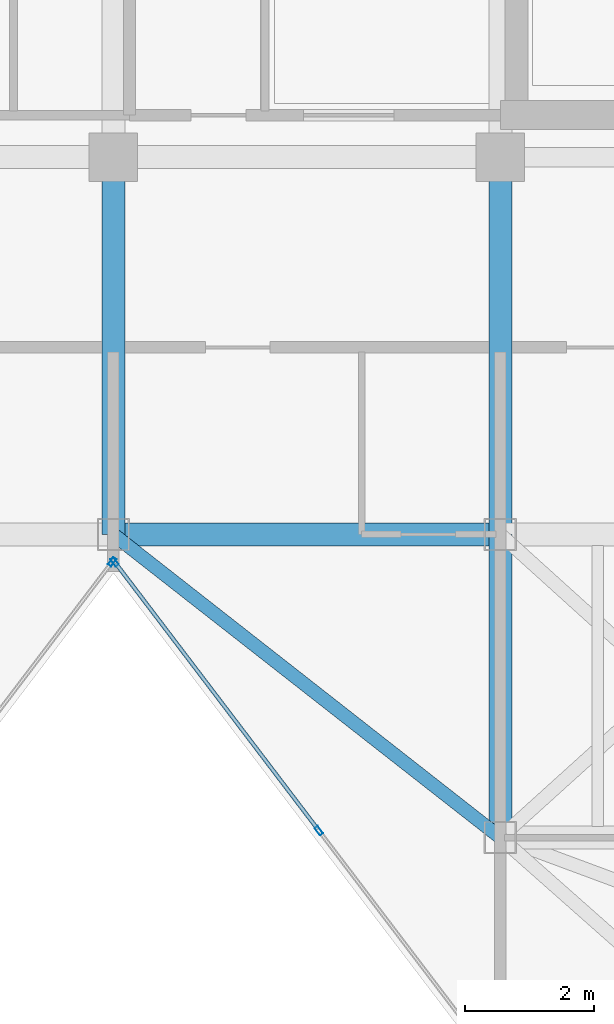
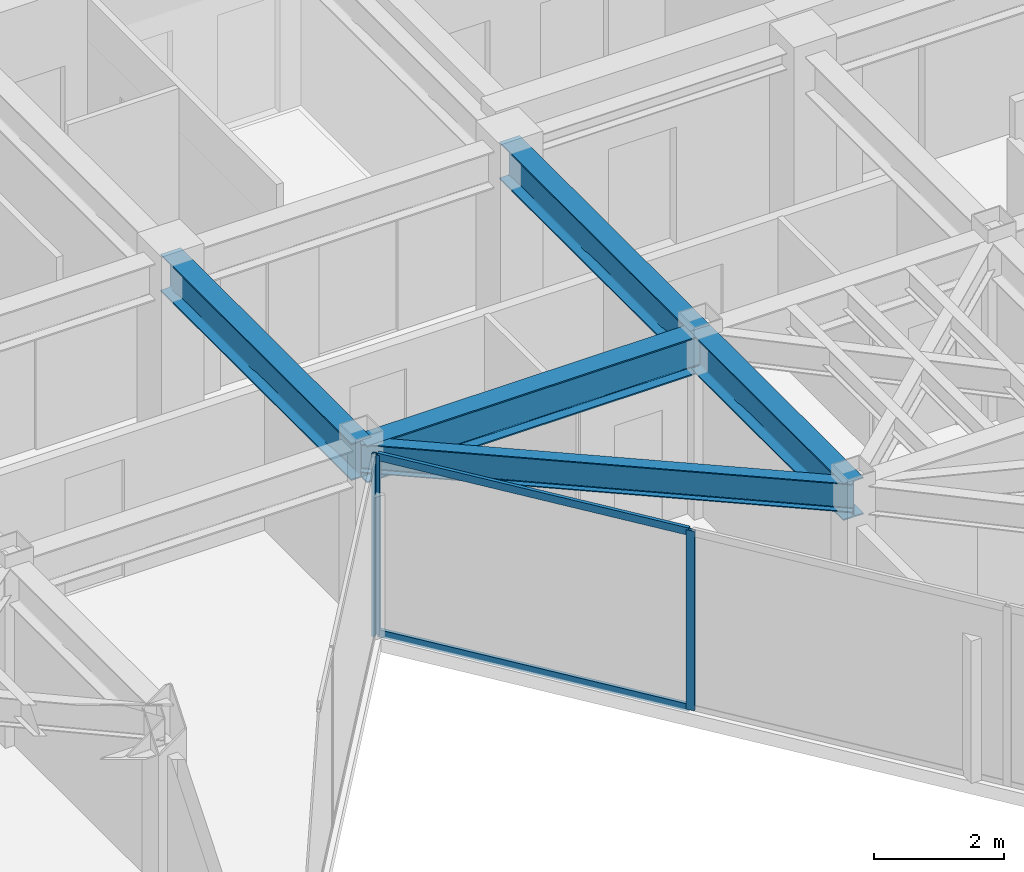
# One storey, part 9 of 19: 5 beams, 5 members, 2 elements without a shape of their own.
"""IFC4 building model written with IfcOpenShell, lengths in metres."""

import ifcopenshell
import ifcopenshell.guid

model = None  # the IFC model being written
_history = None  # IfcOwnerHistory: only IFC2X3 demands one
_inside = {}  # id of a spatial element -> (the spatial element, [elements in it])
_under = {}  # id of a project, library or spatial element -> (it, [spatial elements below it])
_declared = {}  # id of a project -> (the project, [libraries it declares])
_typed = {}  # id of a type object -> (the type object, [elements of that type])
_made_of = {}  # id of a material, layer set ... -> (it, [elements and type objects made of it])


def new_model(schema):
    """Start an empty IFC model of exactly this schema.

    Asked for "IFC4X3", IfcOpenShell would pick the latest addendum, in which some entities
    have other attributes; the version numbers below select the first issue.
    IFC2X3 requires an IfcOwnerHistory on every rooted entity: one is made here for all.
    """
    global model, _history
    if schema == "IFC4X3":
        model = ifcopenshell.file(schema_version=(4, 3, 0, 0))
    else:
        model = ifcopenshell.file(schema=schema)
    _inside.clear()
    _under.clear()
    _declared.clear()
    _typed.clear()
    _made_of.clear()
    _history = None
    if model.schema == "IFC2X3":
        org = make("IfcOrganization", Name="unknown")
        user = make(
            "IfcPersonAndOrganization",
            ThePerson=make("IfcPerson", FamilyName="unknown"),
            TheOrganization=org,
        )
        app = make(
            "IfcApplication",
            ApplicationDeveloper=org,
            Version="unknown",
            ApplicationFullName="unknown",
            ApplicationIdentifier="unknown",
        )
        _history = make(
            "IfcOwnerHistory",
            OwningUser=user,
            OwningApplication=app,
            ChangeAction="ADDED",
            CreationDate=0,
        )
    return model


def make(cls, **values):
    """One entity of the class cls with the attributes given. An attribute that is None is left unset."""
    return model.create_entity(
        cls, **{name: value for name, value in values.items() if value is not None}
    )


def rooted(cls, **values):
    """An entity with a GlobalId (a new one), such as an element, a storey or a relation."""
    return make(cls, GlobalId=ifcopenshell.guid.new(), OwnerHistory=_history, **values)


def si_unit(unit_type, name, prefix=None):
    """IfcSIUnit, for example si_unit("LENGTHUNIT", "METRE", prefix="MILLI")."""
    return make("IfcSIUnit", UnitType=unit_type, Prefix=prefix, Name=name)


def assignment(units):
    """IfcUnitAssignment: the units of a project."""
    return None if units is None else make("IfcUnitAssignment", Units=units)


def point(xyz):
    """IfcCartesianPoint."""
    return None if xyz is None else make("IfcCartesianPoint", Coordinates=xyz)


def direction(xyz):
    """IfcDirection."""
    return None if xyz is None else make("IfcDirection", DirectionRatios=xyz)


def frame(location, z_axis=None, x_axis=None):
    """IfcAxis2Placement3D, a coordinate frame: its origin and axes. An axis left out is left unset."""
    return make(
        "IfcAxis2Placement3D",
        Location=point(location),
        Axis=direction(z_axis),
        RefDirection=direction(x_axis),
    )


def frame_2d(location, x_axis=None):
    """IfcAxis2Placement2D, a coordinate frame in the plane: its origin and x axis."""
    return make(
        "IfcAxis2Placement2D", Location=point(location), RefDirection=direction(x_axis)
    )


def origin():
    """The frame at (0, 0, 0) with its axes left unset."""
    return frame((0.0, 0.0, 0.0))


def origin_2d():
    """The frame at (0, 0) in the plane with its x axis left unset."""
    return frame_2d((0.0, 0.0))


def place(relative_to, where):
    """IfcLocalPlacement: puts the frame where relative to a parent placement (None: the world)."""
    return make(
        "IfcLocalPlacement", PlacementRelTo=relative_to, RelativePlacement=where
    )


def context(
    kind, dimensions, precision=None, world=None, true_north=None, identifier=None
):
    """IfcGeometricRepresentationContext, for example the 3D "Model" context."""
    return make(
        "IfcGeometricRepresentationContext",
        ContextIdentifier=identifier,
        ContextType=kind,
        CoordinateSpaceDimension=dimensions,
        Precision=precision,
        WorldCoordinateSystem=world,
        TrueNorth=true_north,
    )


def subcontext(parent, identifier, kind, view, scale=None):
    """IfcGeometricRepresentationSubContext, for example "Body" below "Model"."""
    return make(
        "IfcGeometricRepresentationSubContext",
        ContextIdentifier=identifier,
        ContextType=kind,
        ParentContext=parent,
        TargetScale=scale,
        TargetView=view,
    )


def project(units=None, contexts=None):
    """IfcProject with its units and contexts."""
    return rooted(
        "IfcProject",
        Name="project",
        RepresentationContexts=contexts,
        UnitsInContext=assignment(units),
    )


def spatial(cls, under=None, at=None, **own):
    """A site, building, storey or space (cls), placed at a placement, below another one or the project."""
    s = rooted(cls, ObjectPlacement=at, **own)
    if under is not None:
        _under.setdefault(under.id(), (under, []))[1].append(s)
    return s


def profile(cls, at=None, kind="AREA", **sizes):
    """A parametric profile (cls). Its sizes go by their IFC names, for example OverallWidth=200.0."""
    return make(cls, ProfileType=kind, Position=at, **sizes)


def hollow_rectangle(**sizes):
    """IfcRectangleHollowProfileDef."""
    return profile("IfcRectangleHollowProfileDef", **sizes)


def i_section(**sizes):
    """IfcIShapeProfileDef."""
    return profile("IfcIShapeProfileDef", **sizes)


def extrude(swept, where, along, depth):
    """IfcExtrudedAreaSolid: the profile swept, set in the frame where, extruded along a direction by depth."""
    return make(
        "IfcExtrudedAreaSolid",
        SweptArea=swept,
        Position=where,
        ExtrudedDirection=direction(along),
        Depth=depth,
    )


def shape(context_of_items, identifier, shape_type, items):
    """IfcShapeRepresentation: the items that make up one representation, for example the "Body"."""
    return make(
        "IfcShapeRepresentation",
        ContextOfItems=context_of_items,
        RepresentationIdentifier=identifier,
        RepresentationType=shape_type,
        Items=items,
    )


def material(Name=None, Category=None):
    """IfcMaterial."""
    return make("IfcMaterial", Name=Name, Category=Category)


def layer(
    of_material, thickness, ventilated=None, Name=None, Category=None, Priority=None
):
    """IfcMaterialLayer: one layer of a wall or slab, of a material (None: an air gap)."""
    return make(
        "IfcMaterialLayer",
        Material=of_material,
        LayerThickness=thickness,
        IsVentilated=ventilated,
        Name=Name,
        Category=Category,
        Priority=Priority,
    )


def layer_set(layers, Name=None):
    """IfcMaterialLayerSet."""
    return make("IfcMaterialLayerSet", MaterialLayers=layers, LayerSetName=Name)


def material_profile(
    of_material, cross_section, Name=None, Category=None, Priority=None
):
    """IfcMaterialProfile: a cross section and its material."""
    return make(
        "IfcMaterialProfile",
        Name=Name,
        Material=of_material,
        Profile=cross_section,
        Priority=Priority,
        Category=Category,
    )


def profile_set(profiles, Name=None, composite=None):
    """IfcMaterialProfileSet."""
    return make(
        "IfcMaterialProfileSet",
        Name=Name,
        MaterialProfiles=profiles,
        CompositeProfile=composite,
    )


def made_of(thing, what):
    """Note that an element or type object is made of a material, layer set ...; save() writes the relation."""
    if what is not None:
        _made_of.setdefault(what.id(), (what, []))[1].append(thing)
    return thing


def type_object(cls, material=None, **own):
    """A type object (cls), such as IfcWallType, which elements share."""
    return made_of(rooted(cls, **own), material)


def element(
    cls,
    number,
    at=None,
    inside=None,
    cuts=None,
    type_object=None,
    material=None,
    context=None,
    identifier="Body",
    shape_type=None,
    held_by="IfcProductDefinitionShape",
    body=None,
    shapes=None,
    **own,
):
    """One element of the class cls, such as IfcWall. Its Tag is "e" and its number.

    at: its placement. inside: the storey or other place that contains it. cuts: it is an
    opening in that element (IfcRelVoidsElement). A single representation is given by context,
    identifier, shape_type and body (its items); several are given by shapes. held_by: the class
    of the entity that holds the representations. save() writes the other relations.
    """
    e = rooted(cls, Tag="e%d" % number, ObjectPlacement=at, **own)
    if body is not None:
        shapes = [shape(context, identifier, shape_type, body)]
    if shapes is not None:
        e.Representation = make(held_by, Representations=shapes)
    if inside is not None:
        _inside.setdefault(inside.id(), (inside, []))[1].append(e)
    if cuts is not None:
        rooted(
            "IfcRelVoidsElement", RelatingBuildingElement=cuts, RelatedOpeningElement=e
        )
    if type_object is not None:
        _typed.setdefault(type_object.id(), (type_object, []))[1].append(e)
    return made_of(e, material)


def aggregate(whole, parts):
    """IfcRelAggregates: a whole, such as a stair, and the parts it consists of."""
    return rooted("IfcRelAggregates", RelatingObject=whole, RelatedObjects=parts)


def save(model, path):
    """Write the relations noted so far, then the file.

    IfcRelAggregates (storeys below a building ...), IfcRelContainedInSpatialStructure (elements
    in a storey), IfcRelDefinesByType, IfcRelAssociatesMaterial and IfcRelDeclares: one each for
    every whole, place, type object, material and project.
    """
    for whole, parts in _under.values():
        aggregate(whole, parts)
    for where, things in _inside.values():
        rooted(
            "IfcRelContainedInSpatialStructure",
            RelatedElements=things,
            RelatingStructure=where,
        )
    for kind, things in _typed.values():
        rooted("IfcRelDefinesByType", RelatedObjects=things, RelatingType=kind)
    for what, things in _made_of.values():
        rooted("IfcRelAssociatesMaterial", RelatedObjects=things, RelatingMaterial=what)
    for by, libraries in _declared.values():
        rooted("IfcRelDeclares", RelatingContext=by, RelatedDefinitions=libraries)
    model.write(path)


model = new_model("IFC4")

# Units and contexts
model_context = context("Model", 3, precision=1e-05, world=origin(), true_north=direction((0.0, 1.0)))
body_context = subcontext(model_context, "Body", "Model", "MODEL_VIEW")
ifc_project = project(units=[si_unit("LENGTHUNIT", "METRE"), si_unit("AREAUNIT", "SQUARE_METRE"), si_unit("VOLUMEUNIT", "CUBIC_METRE"), si_unit("PLANEANGLEUNIT", "RADIAN"), si_unit("MASSUNIT", "GRAM", prefix="KILO")], contexts=[model_context])

# Site, building, storey
site_placement = place(None, origin())
site = spatial("IfcSite", under=ifc_project, at=site_placement, CompositionType="ELEMENT")
building_placement = place(site_placement, origin())
building = spatial("IfcBuilding", under=site, at=building_placement, Name="Kravanh Interchange Tower", CompositionType="ELEMENT")
storey_placement = place(building_placement, frame((0.0, 0.0, 270.60009765625)))
storey = spatial("IfcBuildingStorey", under=building, at=storey_placement, Name="L66", CompositionType="ELEMENT", Elevation=270.60009765625)

# Curtain wall, members
ifc_material_1 = material(Name="Anodised Bronze Aluminium", Category="aluminium")
ifc_layer = layer(ifc_material_1, 0.179931640625)
ifc_layer_set = layer_set([ifc_layer], Name="Unitised Curtain Wall System CW-HTL Luxury Hotel")
curtain_wall_type = type_object("IfcCurtainWallType", Name="Unitised Curtain Wall System CW-HTL Luxury Hotel", PredefinedType="NOTDEFINED", material=ifc_layer_set)
curtain_wall_1_placement = place(storey_placement, origin())
curtain_wall_1 = element("IfcCurtainWall", 1, at=curtain_wall_1_placement, inside=storey, type_object=curtain_wall_type, Name="L66 Unitised Curtain Wall CW-L66-04", PredefinedType="NOTDEFINED")
ifc_material_2 = material(Name="Anodised Bronze Aluminium", Category="aluminium")
ifc_material_profile_1 = material_profile(ifc_material_2, hollow_rectangle(XDim=0.06005859375, YDim=0.139892578125, WallThickness=0.00390625, at=origin_2d()), Name="ALU60X140X4")
ifc_profile_set_1 = profile_set([ifc_material_profile_1], Name="Anodised Bronze Aluminium")
member_type_1 = type_object("IfcMemberType", Name="Curtain Wall Mullion ALU60X140X4 Bronze", PredefinedType="MULLION", material=ifc_profile_set_1)
member_1_placement = place(storey_placement, frame((47.986572265625, 26.905517578125, 0.0), z_axis=(0.0, 0.0, 1.0), x_axis=(-0.79616243806, -0.605082946564, 0.0)))
member_1 = element("IfcMember", 2, at=member_1_placement, type_object=member_type_1, Name="CW-HTL mullion 3", PredefinedType="MULLION", context=body_context, shape_type="SweptSolid", body=[
    extrude(hollow_rectangle(XDim=0.06005859375, YDim=0.139892578125, WallThickness=0.00390625, at=origin_2d()), origin(), (0.0, 0.0, 1.0), 3.35986328125),
])
member_2_placement = place(storey_placement, frame((44.818115234375, 31.074462890625, 0.0), z_axis=(0.0, 0.0, 1.0), x_axis=(-0.79616243806, -0.605082946564, 0.0)))
member_2 = element("IfcMember", 3, at=member_2_placement, type_object=member_type_1, Name="CW-HTL mullion 4", PredefinedType="MULLION", context=body_context, shape_type="SweptSolid", body=[
    extrude(hollow_rectangle(XDim=0.06005859375, YDim=0.139892578125, WallThickness=0.00390625, at=origin_2d()), origin(), (0.0, 0.0, 1.0), 3.35986328125),
])

# Curtain wall, member
curtain_wall_2_placement = place(storey_placement, origin())
curtain_wall_2 = element("IfcCurtainWall", 4, at=curtain_wall_2_placement, inside=storey, type_object=curtain_wall_type, Name="L66 Unitised Curtain Wall CW-L66-05", PredefinedType="NOTDEFINED")
member_3_placement = place(storey_placement, frame((44.78173828125, 31.074462890625, 0.0), z_axis=(0.0, 0.0, 1.0), x_axis=(0.79616243806, -0.605082946564, 0.0)))
member_3 = element("IfcMember", 5, at=member_3_placement, type_object=member_type_1, Name="CW-HTL mullion 1", PredefinedType="MULLION", context=body_context, shape_type="SweptSolid", body=[
    extrude(hollow_rectangle(XDim=0.06005859375, YDim=0.139892578125, WallThickness=0.00390625, at=origin_2d()), origin(), (0.0, 0.0, 1.0), 3.35986328125),
])
aggregate(curtain_wall_2, [member_3])

# Member
ifc_material_3 = material(Name="Anodised Bronze Aluminium", Category="aluminium")
ifc_material_profile_2 = material_profile(ifc_material_3, hollow_rectangle(XDim=0.06005859375, YDim=0.139892578125, WallThickness=0.00390625, at=origin_2d()), Name="ALU60X140X4")
ifc_profile_set_2 = profile_set([ifc_material_profile_2], Name="Anodised Bronze Aluminium")
member_type_2 = type_object("IfcMemberType", Name="Curtain Wall Transom ALU60X140X4 Bronze", PredefinedType="USERDEFINED", material=ifc_profile_set_2)
member_4_placement = place(storey_placement, frame((47.96826171875, 26.929443359375, 0.02978515625), z_axis=(-0.605059348861, 0.796180371747, 0.0), x_axis=(-0.796180371747, -0.605059348861, 0.0)))
member_4 = element("IfcMember", 6, at=member_4_placement, type_object=member_type_2, Name="CW-HTL transom 3.1", ObjectType="TRANSOM", PredefinedType="USERDEFINED", context=body_context, shape_type="SweptSolid", body=[
    extrude(hollow_rectangle(XDim=0.06005859375, YDim=0.139892578125, WallThickness=0.00390625, at=origin_2d()), origin(), (0.0, 0.0, 1.0), 5.176025390625),
])

member_5_placement = place(storey_placement, frame((47.96826171875, 26.929443359375, 3.329833984375), z_axis=(-0.605059348861, 0.796180371747, 0.0), x_axis=(-0.796180371747, -0.605059348861, 0.0)))
member_5 = element("IfcMember", 7, at=member_5_placement, type_object=member_type_2, Name="CW-HTL transom 3.2", ObjectType="TRANSOM", PredefinedType="USERDEFINED", context=body_context, shape_type="SweptSolid", body=[
    extrude(hollow_rectangle(XDim=0.06005859375, YDim=0.139892578125, WallThickness=0.00390625, at=origin_2d()), origin(), (0.0, 0.0, 1.0), 5.176025390625),
])

aggregate(curtain_wall_1, [member_1, member_2, member_4, member_5])

# Beams
ifc_material_4 = material(Name="Structural Steel S355", Category="steel")
ifc_material_profile_3 = material_profile(ifc_material_4, i_section(OverallWidth=0.35498046875, OverallDepth=0.696044921875, WebThickness=0.015380859375, FlangeThickness=0.02490234375, FilletRadius=0.02392578125, at=origin_2d()), Name="W27X146")
ifc_profile_set_3 = profile_set([ifc_material_profile_3], Name="Structural Steel S355")
beam_type_1 = type_object("IfcBeamType", Name="Floor Beam W27X146 Structural Steel S355", PredefinedType="BEAM", material=ifc_profile_set_3)
beam_1_placement = place(storey_placement, frame((44.800048828125, 31.5, 3.011962890625), z_axis=(0.0, 1.0, 0.0), x_axis=(-1.0, 0.0, 0.0)))
element("IfcBeam", 8, at=beam_1_placement, inside=storey, type_object=beam_type_1, Name="L66 Primary Floor Girder 1", PredefinedType="BEAM", context=body_context, shape_type="SweptSolid", body=[
    extrude(i_section(OverallWidth=0.35498046875, OverallDepth=0.696044921875, WebThickness=0.015380859375, FlangeThickness=0.02490234375, FilletRadius=0.02392578125, at=origin_2d()), origin(), (0.0, 0.0, 1.0), 5.85009765625),
])
beam_2_placement = place(storey_placement, frame((44.800048828125, 31.5, 3.011962890625), z_axis=(1.0, 0.0, 0.0), x_axis=(0.0, 1.0, 0.0)))
element("IfcBeam", 9, at=beam_2_placement, inside=storey, type_object=beam_type_1, Name="L66 Primary Floor Girder 2", PredefinedType="BEAM", context=body_context, shape_type="SweptSolid", body=[
    extrude(i_section(OverallWidth=0.35498046875, OverallDepth=0.696044921875, WebThickness=0.015380859375, FlangeThickness=0.02490234375, FilletRadius=0.02392578125, at=origin_2d()), origin(), (0.0, 0.0, 1.0), 6.0),
])
beam_3_placement = place(storey_placement, frame((50.800048828125, 31.5, 3.011962890625), z_axis=(0.0, -1.0, 0.0), x_axis=(1.0, 0.0, 0.0)))
element("IfcBeam", 10, at=beam_3_placement, inside=storey, type_object=beam_type_1, Name="L66 Primary Floor Girder 5", PredefinedType="BEAM", context=body_context, shape_type="SweptSolid", body=[
    extrude(i_section(OverallWidth=0.35498046875, OverallDepth=0.696044921875, WebThickness=0.015380859375, FlangeThickness=0.02490234375, FilletRadius=0.02392578125, at=origin_2d()), origin(), (0.0, 0.0, 1.0), 4.699951171875),
])
beam_4_placement = place(storey_placement, frame((50.800048828125, 31.5, 3.011962890625), z_axis=(0.0, 1.0, 0.0), x_axis=(-1.0, 0.0, 0.0)))
element("IfcBeam", 11, at=beam_4_placement, inside=storey, type_object=beam_type_1, Name="L66 Primary Floor Girder 7", PredefinedType="BEAM", context=body_context, shape_type="SweptSolid", body=[
    extrude(i_section(OverallWidth=0.35498046875, OverallDepth=0.696044921875, WebThickness=0.015380859375, FlangeThickness=0.02490234375, FilletRadius=0.02392578125, at=origin_2d()), origin(), (0.0, 0.0, 1.0), 5.85009765625),
])
ifc_material_5 = material(Name="Structural Steel S355", Category="steel")
ifc_material_profile_4 = material_profile(ifc_material_5, i_section(OverallWidth=0.2099609375, OverallDepth=0.537109375, WebThickness=0.010986328125, FlangeThickness=0.017333984375, FilletRadius=0.02001953125, at=origin_2d()), Name="W21X68")
ifc_profile_set_4 = profile_set([ifc_material_profile_4], Name="Structural Steel S355")
beam_type_2 = type_object("IfcBeamType", Name="Floor Spandrel W21X68 Structural Steel S355", PredefinedType="SPANDREL", material=ifc_profile_set_4)
beam_5_placement = place(storey_placement, frame((44.800048828125, 31.5, 3.09130859375), z_axis=(0.787231163579, -0.616658004967, 0.0), x_axis=(0.616658004967, 0.787231163579, 0.0)))
element("IfcBeam", 12, at=beam_5_placement, inside=storey, type_object=beam_type_2, Name="L66 Perimeter Spandrel 4", PredefinedType="SPANDREL", context=body_context, shape_type="SweptSolid", body=[
    extrude(i_section(OverallWidth=0.2099609375, OverallDepth=0.537109375, WebThickness=0.010986328125, FlangeThickness=0.017333984375, FilletRadius=0.02001953125, at=origin_2d()), origin(), (0.0, 0.0, 1.0), 7.62158203125),
])

save(model, "model.ifc")
